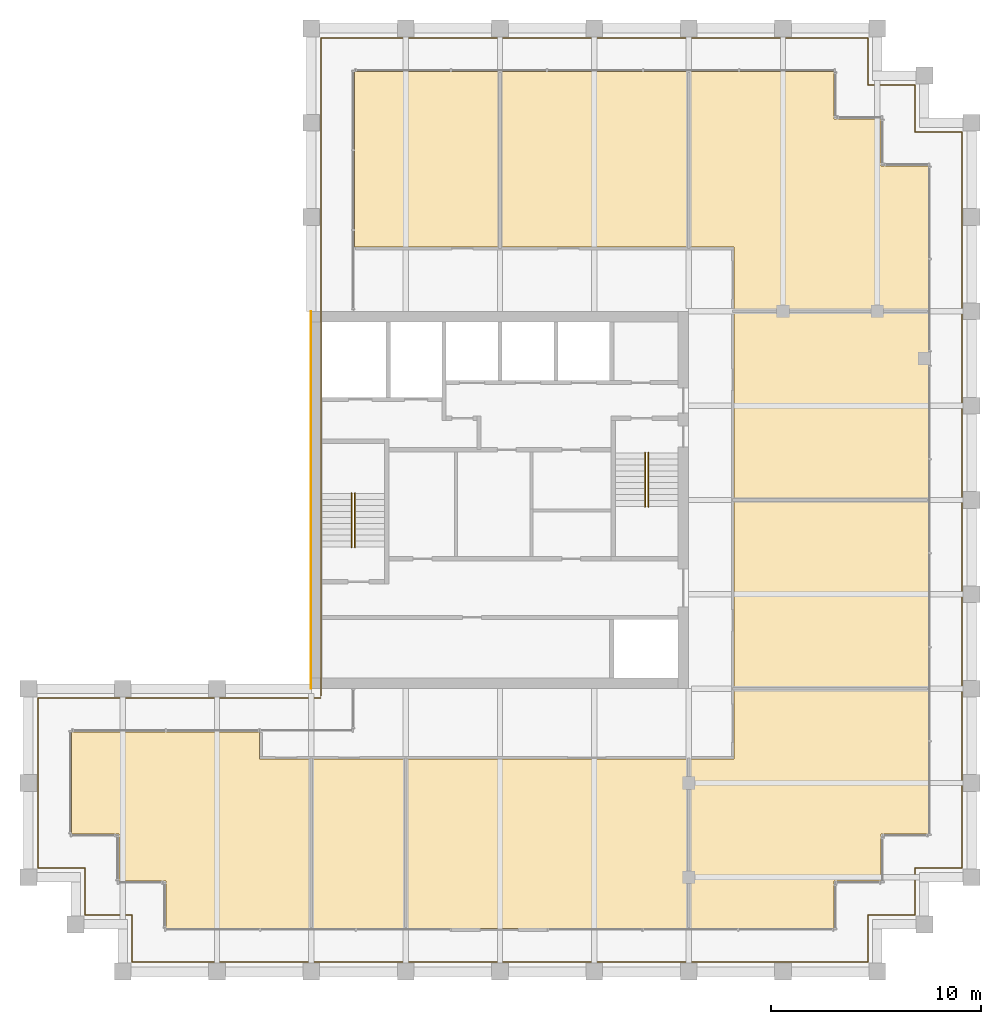
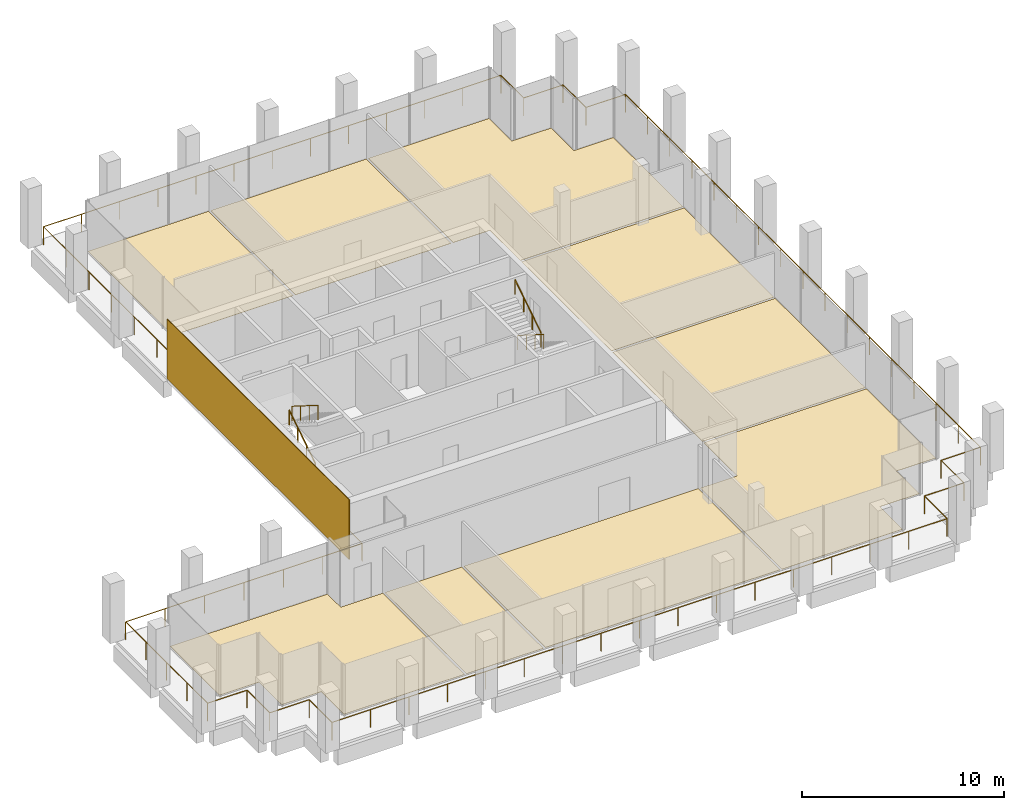
# One storey, part 30 of 30: 10 coverings, 5 railings.
"""IFC4 building model written with IfcOpenShell, lengths in metres."""

from ifc_helpers import new_model, si_unit, direction, frame, origin, origin_2d, place, context, subcontext, project, spatial, polyline, rectangle, circle, outline, extrude, source, transform, mapped, material, layer, layer_set, type_object, element, save


model = new_model("IFC4")

# Units and contexts
model_context = context("Model", 3, precision=1e-05, world=origin(), true_north=direction((0.0, 1.0)))
body_context = subcontext(model_context, "Body", "Model", "MODEL_VIEW")
ifc_project = project(units=[si_unit("LENGTHUNIT", "METRE"), si_unit("AREAUNIT", "SQUARE_METRE"), si_unit("VOLUMEUNIT", "CUBIC_METRE"), si_unit("PLANEANGLEUNIT", "RADIAN"), si_unit("MASSUNIT", "GRAM", prefix="KILO")], contexts=[model_context])

# Site, building, storey
site_placement = place(None, origin())
site = spatial("IfcSite", under=ifc_project, at=site_placement, CompositionType="ELEMENT")
building_placement = place(site_placement, origin())
building = spatial("IfcBuilding", under=site, at=building_placement, Name="Altepetl Exchange Towers", CompositionType="ELEMENT")
storey_placement = place(building_placement, frame((0.0, 0.0, 231.60009765625)))
storey = spatial("IfcBuildingStorey", under=building, at=storey_placement, Name="L59", CompositionType="ELEMENT", Elevation=231.60009765625)

# Coverings
ifc_material_1 = material(Name="Carpet tile")
ifc_layer_1 = layer(ifc_material_1, 0.02001953125)
ifc_layer_set_1 = layer_set([ifc_layer_1], Name="Carpet tile")
covering_type_1 = type_object("IfcCoveringType", Name="Carpet tile floor", PredefinedType="FLOORING", material=ifc_layer_set_1)
covering_1_placement = place(storey_placement, origin())
element("IfcCovering", 1, at=covering_1_placement, inside=storey, type_object=covering_type_1, Name="Open office floor finish A59.01", PredefinedType="FLOORING", context=body_context, shape_type="SweptSolid", body=[
    extrude(outline(polyline([(33.5625, 31.3125), (33.5625, 29.0625), (40.4375, 29.0625), (40.4375, 37.137451171875), (38.03759765625, 37.137451171875), (38.03759765625, 38.4375), (29.0625, 38.4375), (29.0625, 33.5625), (31.3125, 33.5625), (31.3125, 31.3125), (33.5625, 31.3125)])), origin(), (0.0, 0.0, 1.0), 0.02001953125),
])
covering_2_placement = place(storey_placement, origin())
element("IfcCovering", 2, at=covering_2_placement, inside=storey, type_object=covering_type_1, Name="Pantry floor finish A59.02", PredefinedType="FLOORING", context=body_context, shape_type="SweptSolid", body=[
    extrude(outline(polyline([(40.5625, 37.137451171875), (40.5625, 29.0625), (44.9375, 29.0625), (44.9375, 37.137451171875), (40.5625, 37.137451171875)])), origin(), (0.0, 0.0, 1.0), 0.02001953125),
])
covering_3_placement = place(storey_placement, origin())
element("IfcCovering", 3, at=covering_3_placement, inside=storey, type_object=covering_type_1, Name="Fund office floor finish A59.04", PredefinedType="FLOORING", context=body_context, shape_type="SweptSolid", body=[
    extrude(outline(polyline([(58.5625, 37.137451171875), (58.5625, 29.0625), (65.4375, 29.0625), (65.4375, 31.3125), (67.6875, 31.3125), (67.6875, 33.5625), (69.9375, 33.5625), (69.9375, 40.4375), (60.66259765625, 40.4375), (60.66259765625, 37.137451171875), (58.5625, 37.137451171875)])), origin(), (0.0, 0.0, 1.0), 0.02001953125),
])
covering_4_placement = place(storey_placement, origin())
element("IfcCovering", 4, at=covering_4_placement, inside=storey, type_object=covering_type_1, Name="Meeting room floor finish A59.05", PredefinedType="FLOORING", context=body_context, shape_type="SweptSolid", body=[
    extrude(outline(polyline([(60.66259765625, 40.5625), (69.9375, 40.5625), (69.9375, 49.4375), (60.66259765625, 49.4375), (60.66259765625, 40.5625)])), origin(), (0.0, 0.0, 1.0), 0.02001953125),
])
covering_5_placement = place(storey_placement, origin())
element("IfcCovering", 5, at=covering_5_placement, inside=storey, type_object=covering_type_1, Name="Huddle room floor finish A59.06", PredefinedType="FLOORING", context=body_context, shape_type="SweptSolid", body=[
    extrude(outline(polyline([(60.66259765625, 49.5625), (69.9375, 49.5625), (69.9375, 58.4375), (60.66259765625, 58.4375), (60.66259765625, 49.5625)])), origin(), (0.0, 0.0, 1.0), 0.02001953125),
])
covering_6_placement = place(storey_placement, origin())
element("IfcCovering", 6, at=covering_6_placement, inside=storey, type_object=covering_type_1, Name="Fund office floor finish A59.07", PredefinedType="FLOORING", context=body_context, shape_type="SweptSolid", body=[
    extrude(outline(polyline([(60.66259765625, 58.5625), (69.9375, 58.5625), (69.9375, 65.4375), (67.6875, 65.4375), (67.6875, 67.6875), (65.4375, 67.6875), (65.4375, 69.9375), (58.5625, 69.9375), (58.5625, 61.5625), (60.66259765625, 61.5625), (60.66259765625, 58.5625)])), origin(), (0.0, 0.0, 1.0), 0.02001953125),
])
covering_7_placement = place(storey_placement, origin())
element("IfcCovering", 7, at=covering_7_placement, inside=storey, type_object=covering_type_1, Name="Meeting room floor finish A59.08", PredefinedType="FLOORING", context=body_context, shape_type="SweptSolid", body=[
    extrude(outline(polyline([(58.4375, 61.5625), (58.4375, 69.9375), (49.5625, 69.9375), (49.5625, 61.5625), (58.4375, 61.5625)])), origin(), (0.0, 0.0, 1.0), 0.02001953125),
])
covering_8_placement = place(storey_placement, origin())
element("IfcCovering", 8, at=covering_8_placement, inside=storey, type_object=covering_type_1, Name="Huddle room floor finish A59.09", PredefinedType="FLOORING", context=body_context, shape_type="SweptSolid", body=[
    extrude(outline(polyline([(42.5625, 61.5625), (49.4375, 61.5625), (49.4375, 69.9375), (42.5625, 69.9375), (42.5625, 61.5625)])), origin(), (0.0, 0.0, 1.0), 0.02001953125),
])
ifc_material_2 = material(Name="Cantera stone", Category="masonry")
ifc_layer_2 = layer(ifc_material_2, 0.030029296875)
ifc_layer_set_2 = layer_set([ifc_layer_2], Name="Cantera stone")
covering_type_2 = type_object("IfcCoveringType", Name="Polished stone floor", PredefinedType="FLOORING", material=ifc_layer_set_2)
covering_9_placement = place(storey_placement, origin())
element("IfcCovering", 9, at=covering_9_placement, inside=storey, type_object=covering_type_2, Name="Staff club floor finish A59.03", PredefinedType="FLOORING", context=body_context, shape_type="SweptSolid", body=[
    extrude(outline(polyline([(45.0625, 37.137451171875), (45.0625, 29.0625), (58.4375, 29.0625), (58.4375, 37.137451171875), (45.0625, 37.137451171875)])), origin(), (0.0, 0.0, 1.0), 0.02978515625),
])
ifc_material_3 = material(Name="Cantera limestone cladding", Category="masonry")
ifc_layer_3 = layer(ifc_material_3, 0.0400390625)
ifc_layer_set_3 = layer_set([ifc_layer_3], Name="Cantera limestone cladding")
covering_type_3 = type_object("IfcCoveringType", Name="Stone panel 40 cantera", PredefinedType="CLADDING", material=ifc_layer_set_3)
covering_10_placement = place(storey_placement, frame((40.47998046875, 49.5, -0.000244140625), z_axis=(0.0, 0.0, 1.0), x_axis=(0.0, -1.0, 0.0)))
element("IfcCovering", 10, at=covering_10_placement, inside=storey, type_object=covering_type_3, Name="Stone cladding panel", PredefinedType="CLADDING", context=body_context, shape_type="SweptSolid", body=[
    extrude(rectangle(XDim=18.0, YDim=0.0400390625, at=origin_2d()), origin(), (0.0, 0.0, 1.0), 3.60009765625),
])

# Railings
ifc_material_4 = material(Name="Steel S355", Category="steel")
railing_type_1 = type_object("IfcRailingType", Name="Guard 1100 steel posts and rail", PredefinedType="GUARDRAIL", material=ifc_material_4)
shared_shape_1 = source(origin(), body_context, "Body", "SweptSolid", [
    extrude(circle(Radius=0.02099609375, at=origin_2d()), origin(), (0.0, 0.0, 1.0), 1.052001953125),
])
railing_1_placement = place(storey_placement, frame((40.949951171875, 40.050048828125, 0.0)))
element("IfcRailing", 11, at=railing_1_placement, inside=storey, type_object=railing_type_1, Name="Loggia guard", PredefinedType="GUARDRAIL", context=body_context, shape_type="SweptSolid", body=[
    extrude(circle(Radius=0.02392578125, at=origin_2d()), frame((0.0, 0.0, 1.076171875), z_axis=(-1.0, 0.0, 0.0), x_axis=(0.0, -1.0, 0.0)), (0.0, 0.0, 1.0), 13.5),
    extrude(circle(Radius=0.02392578125, at=origin_2d()), frame((-13.5, 0.0, 1.076171875), z_axis=(0.0, -1.0, 0.0), x_axis=(1.0, 0.0, 0.0)), (0.0, 0.0, 1.0), 8.10009765625),
    extrude(circle(Radius=0.02392578125, at=origin_2d()), frame((-13.5, -8.10009765625, 1.076171875), z_axis=(1.0, 0.0, 0.0), x_axis=(0.0, 1.0, 0.0)), (0.0, 0.0, 1.0), 2.25),
    extrude(circle(Radius=0.02392578125, at=origin_2d()), frame((-11.25, -8.10009765625, 1.076171875), z_axis=(0.0, -1.0, 0.0), x_axis=(1.0, 0.0, 0.0)), (0.0, 0.0, 1.0), 2.25),
    extrude(circle(Radius=0.02392578125, at=origin_2d()), frame((-11.25, -10.35009765625, 1.076171875), z_axis=(1.0, 0.0, 0.0), x_axis=(0.0, 1.0, 0.0)), (0.0, 0.0, 1.0), 2.25),
    extrude(circle(Radius=0.02392578125, at=origin_2d()), frame((-9.0, -10.35009765625, 1.076171875), z_axis=(0.0, -1.0, 0.0), x_axis=(1.0, 0.0, 0.0)), (0.0, 0.0, 1.0), 2.25),
    extrude(circle(Radius=0.02392578125, at=origin_2d()), frame((-9.0, -12.60009765625, 1.076171875), z_axis=(1.0, 0.0, 0.0), x_axis=(0.0, 1.0, 0.0)), (0.0, 0.0, 1.0), 35.10009765625),
    extrude(circle(Radius=0.02392578125, at=origin_2d()), frame((26.10009765625, -12.60009765625, 1.076171875), z_axis=(0.0, 1.0, 0.0), x_axis=(-1.0, 0.0, 0.0)), (0.0, 0.0, 1.0), 2.25),
    extrude(circle(Radius=0.02392578125, at=origin_2d()), frame((26.10009765625, -10.35009765625, 1.076171875), z_axis=(1.0, 0.0, 0.0), x_axis=(0.0, 1.0, 0.0)), (0.0, 0.0, 1.0), 2.25),
    extrude(circle(Radius=0.02392578125, at=origin_2d()), frame((28.35009765625, -10.35009765625, 1.076171875), z_axis=(0.0, 1.0, 0.0), x_axis=(-1.0, 0.0, 0.0)), (0.0, 0.0, 1.0), 2.25),
    extrude(circle(Radius=0.02392578125, at=origin_2d()), frame((28.35009765625, -8.10009765625, 1.076171875), z_axis=(1.0, 0.0, 0.0), x_axis=(0.0, 1.0, 0.0)), (0.0, 0.0, 1.0), 2.25),
    extrude(circle(Radius=0.02392578125, at=origin_2d()), frame((30.60009765625, -8.10009765625, 1.076171875), z_axis=(0.0, 1.0, 0.0), x_axis=(-1.0, 0.0, 0.0)), (0.0, 0.0, 1.0), 35.10009765625),
    extrude(circle(Radius=0.02392578125, at=origin_2d()), frame((30.60009765625, 27.0, 1.076171875), z_axis=(-1.0, 0.0, 0.0), x_axis=(0.0, -1.0, 0.0)), (0.0, 0.0, 1.0), 2.25),
    extrude(circle(Radius=0.02392578125, at=origin_2d()), frame((28.35009765625, 27.0, 1.076171875), z_axis=(0.0, 1.0, 0.0), x_axis=(-1.0, 0.0, 0.0)), (0.0, 0.0, 1.0), 2.25),
    extrude(circle(Radius=0.02392578125, at=origin_2d()), frame((28.35009765625, 29.25, 1.076171875), z_axis=(-1.0, 0.0, 0.0), x_axis=(0.0, -1.0, 0.0)), (0.0, 0.0, 1.0), 2.25),
    extrude(circle(Radius=0.02392578125, at=origin_2d()), frame((26.10009765625, 29.25, 1.076171875), z_axis=(0.0, 1.0, 0.0), x_axis=(-1.0, 0.0, 0.0)), (0.0, 0.0, 1.0), 2.25),
    extrude(circle(Radius=0.02392578125, at=origin_2d()), frame((26.10009765625, 31.5, 1.076171875), z_axis=(-1.0, 0.0, 0.0), x_axis=(0.0, -1.0, 0.0)), (0.0, 0.0, 1.0), 26.10009765625),
    extrude(circle(Radius=0.02392578125, at=origin_2d()), frame((0.0, 31.5, 1.076171875), z_axis=(0.0, -1.0, 0.0), x_axis=(1.0, 0.0, 0.0)), (0.0, 0.0, 1.0), 31.400146484375),
    mapped(shared_shape_1, transform((0.0, 0.0, 0.0))),
    mapped(shared_shape_1, transform((-2.25, 0.0, 0.0))),
    mapped(shared_shape_1, transform((-4.5, 0.0, 0.0))),
    mapped(shared_shape_1, transform((-6.75, 0.0, 0.0))),
    mapped(shared_shape_1, transform((-9.0, 0.0, 0.0))),
    mapped(shared_shape_1, transform((-11.25, 0.0, 0.0))),
    mapped(shared_shape_1, transform((-13.5, 0.0, 0.0))),
    mapped(shared_shape_1, transform((-13.5, -2.02490234375, 0.0))),
    mapped(shared_shape_1, transform((-13.5, -4.050048828125, 0.0))),
    mapped(shared_shape_1, transform((-13.5, -6.0751953125, 0.0))),
    mapped(shared_shape_1, transform((-13.5, -8.10009765625, 0.0))),
    mapped(shared_shape_1, transform((-11.25, -8.10009765625, 0.0))),
    mapped(shared_shape_1, transform((-11.25, -10.35009765625, 0.0))),
    mapped(shared_shape_1, transform((-9.0, -10.35009765625, 0.0))),
    mapped(shared_shape_1, transform((-9.0, -12.60009765625, 0.0))),
    mapped(shared_shape_1, transform((-6.80615234375, -12.60009765625, 0.0))),
    mapped(shared_shape_1, transform((-4.612548828125, -12.60009765625, 0.0))),
    mapped(shared_shape_1, transform((-2.418701171875, -12.60009765625, 0.0))),
    mapped(shared_shape_1, transform((-0.22509765625, -12.60009765625, 0.0))),
    mapped(shared_shape_1, transform((1.96875, -12.60009765625, 0.0))),
    mapped(shared_shape_1, transform((4.16259765625, -12.60009765625, 0.0))),
    mapped(shared_shape_1, transform((6.356201171875, -12.60009765625, 0.0))),
    mapped(shared_shape_1, transform((8.550048828125, -12.60009765625, 0.0))),
    mapped(shared_shape_1, transform((10.743896484375, -12.60009765625, 0.0))),
    mapped(shared_shape_1, transform((12.9375, -12.60009765625, 0.0))),
    mapped(shared_shape_1, transform((15.13134765625, -12.60009765625, 0.0))),
    mapped(shared_shape_1, transform((17.3251953125, -12.60009765625, 0.0))),
    mapped(shared_shape_1, transform((19.518798828125, -12.60009765625, 0.0))),
    mapped(shared_shape_1, transform((21.712646484375, -12.60009765625, 0.0))),
    mapped(shared_shape_1, transform((23.90625, -12.60009765625, 0.0))),
    mapped(shared_shape_1, transform((26.10009765625, -12.60009765625, 0.0))),
    mapped(shared_shape_1, transform((26.10009765625, -10.35009765625, 0.0))),
    mapped(shared_shape_1, transform((28.35009765625, -10.35009765625, 0.0))),
    mapped(shared_shape_1, transform((28.35009765625, -8.10009765625, 0.0))),
    mapped(shared_shape_1, transform((30.60009765625, -8.10009765625, 0.0))),
    mapped(shared_shape_1, transform((30.60009765625, -5.90625, 0.0))),
    mapped(shared_shape_1, transform((30.60009765625, -3.712646484375, 0.0))),
    mapped(shared_shape_1, transform((30.60009765625, -1.518798828125, 0.0))),
    mapped(shared_shape_1, transform((30.60009765625, 0.6748046875, 0.0))),
    mapped(shared_shape_1, transform((30.60009765625, 2.86865234375, 0.0))),
    mapped(shared_shape_1, transform((30.60009765625, 5.0625, 0.0))),
    mapped(shared_shape_1, transform((30.60009765625, 7.256103515625, 0.0))),
    mapped(shared_shape_1, transform((30.60009765625, 9.449951171875, 0.0))),
    mapped(shared_shape_1, transform((30.60009765625, 11.643798828125, 0.0))),
    mapped(shared_shape_1, transform((30.60009765625, 13.83740234375, 0.0))),
    mapped(shared_shape_1, transform((30.60009765625, 16.03125, 0.0))),
    mapped(shared_shape_1, transform((30.60009765625, 18.22509765625, 0.0))),
    mapped(shared_shape_1, transform((30.60009765625, 20.418701171875, 0.0))),
    mapped(shared_shape_1, transform((30.60009765625, 22.612548828125, 0.0))),
    mapped(shared_shape_1, transform((30.60009765625, 24.80615234375, 0.0))),
    mapped(shared_shape_1, transform((30.60009765625, 27.0, 0.0))),
    mapped(shared_shape_1, transform((28.35009765625, 27.0, 0.0))),
    mapped(shared_shape_1, transform((28.35009765625, 29.25, 0.0))),
    mapped(shared_shape_1, transform((26.10009765625, 29.25, 0.0))),
    mapped(shared_shape_1, transform((26.10009765625, 31.5, 0.0))),
    mapped(shared_shape_1, transform((23.925048828125, 31.5, 0.0))),
    mapped(shared_shape_1, transform((21.75, 31.5, 0.0))),
    mapped(shared_shape_1, transform((19.5751953125, 31.5, 0.0))),
    mapped(shared_shape_1, transform((17.400146484375, 31.5, 0.0))),
    mapped(shared_shape_1, transform((15.22509765625, 31.5, 0.0))),
    mapped(shared_shape_1, transform((13.050048828125, 31.5, 0.0))),
    mapped(shared_shape_1, transform((10.875, 31.5, 0.0))),
    mapped(shared_shape_1, transform((8.699951171875, 31.5, 0.0))),
    mapped(shared_shape_1, transform((6.52490234375, 31.5, 0.0))),
    mapped(shared_shape_1, transform((4.35009765625, 31.5, 0.0))),
    mapped(shared_shape_1, transform((2.175048828125, 31.5, 0.0))),
    mapped(shared_shape_1, transform((0.0, 31.5, 0.0))),
    mapped(shared_shape_1, transform((0.0, 29.257080078125, 0.0))),
    mapped(shared_shape_1, transform((0.0, 27.01416015625, 0.0))),
    mapped(shared_shape_1, transform((0.0, 24.771484375, 0.0))),
    mapped(shared_shape_1, transform((0.0, 22.528564453125, 0.0))),
    mapped(shared_shape_1, transform((0.0, 20.28564453125, 0.0))),
    mapped(shared_shape_1, transform((0.0, 18.042724609375, 0.0))),
    mapped(shared_shape_1, transform((0.0, 15.7998046875, 0.0))),
    mapped(shared_shape_1, transform((0.0, 13.55712890625, 0.0))),
    mapped(shared_shape_1, transform((0.0, 11.314208984375, 0.0))),
    mapped(shared_shape_1, transform((0.0, 9.0712890625, 0.0))),
    mapped(shared_shape_1, transform((0.0, 6.828369140625, 0.0))),
    mapped(shared_shape_1, transform((0.0, 4.585693359375, 0.0))),
    mapped(shared_shape_1, transform((0.0, 2.3427734375, 0.0))),
    mapped(shared_shape_1, transform((0.0, 0.099853515625, 0.0))),
])
ifc_material_5 = material(Name="Steel", Category="steel")
railing_type_2 = type_object("IfcRailingType", Name="Stair handrail 50 steel tube", PredefinedType="HANDRAIL", material=ifc_material_5)
shared_shape_2 = source(origin(), body_context, "Body", "SweptSolid", [
    extrude(circle(Radius=0.02099609375, at=origin_2d()), origin(), (0.0, 0.0, 1.0), 0.851806640625),
])
railing_2_placement = place(storey_placement, frame((42.419921875, 47.25, 0.179931640625)))
element("IfcRailing", 12, at=railing_2_placement, inside=storey, type_object=railing_type_2, Name="Stair handrail", PredefinedType="HANDRAIL", context=body_context, shape_type="SweptSolid", body=[
    extrude(circle(Radius=0.02392578125, at=origin_2d()), frame((0.0, 0.0, 0.8759765625), z_axis=(0.0, 0.845502289212, 0.533971796014), x_axis=(-1.0, 0.0, 0.0)), (0.0, 0.0, 1.0), 3.03369140625),
    mapped(shared_shape_2, transform((0.0, 0.0, 0.0))),
    mapped(shared_shape_2, transform((0.0, 0.85498046875, 0.5400390625))),
    mapped(shared_shape_2, transform((0.0, 1.7099609375, 1.079833984375))),
    mapped(shared_shape_2, transform((0.0, 2.56494140625, 1.619873046875))),
])
for number, where, name in (
    (13, (42.580078125, 49.81494140625, 1.97998046875), "Stair handrail"),
    (14, (56.580078125, 51.75, 0.179931640625), "Stair handrail"),
):
    element("IfcRailing", number, at=place(storey_placement, frame(where)), inside=storey, type_object=railing_type_2, Name=name, PredefinedType="HANDRAIL", context=body_context, shape_type="SweptSolid", body=[
        extrude(circle(Radius=0.02392578125, at=origin_2d()), frame((0.0, 0.0, 0.8759765625), z_axis=(0.0, -0.845502289212, 0.533971796014), x_axis=(1.0, 0.0, 0.0)), (0.0, 0.0, 1.0), 3.03369140625),
        mapped(shared_shape_2, transform((0.0, 0.0, 0.0))),
        mapped(shared_shape_2, transform((0.0, -0.85498046875, 0.5400390625))),
        mapped(shared_shape_2, transform((0.0, -1.7099609375, 1.079833984375))),
        mapped(shared_shape_2, transform((0.0, -2.56494140625, 1.619873046875))),
    ])
railing_3_placement = place(storey_placement, frame((56.419921875, 49.18505859375, 1.97998046875)))
element("IfcRailing", 15, at=railing_3_placement, inside=storey, type_object=railing_type_2, Name="Stair handrail", PredefinedType="HANDRAIL", context=body_context, shape_type="SweptSolid", body=[
    extrude(circle(Radius=0.02392578125, at=origin_2d()), frame((0.0, 0.0, 0.8759765625), z_axis=(0.0, 0.845502289212, 0.533971796014), x_axis=(-1.0, 0.0, 0.0)), (0.0, 0.0, 1.0), 3.03369140625),
    mapped(shared_shape_2, transform((0.0, 0.0, 0.0))),
    mapped(shared_shape_2, transform((0.0, 0.85498046875, 0.5400390625))),
    mapped(shared_shape_2, transform((0.0, 1.7099609375, 1.079833984375))),
    mapped(shared_shape_2, transform((0.0, 2.56494140625, 1.619873046875))),
])

save(model, "model.ifc")
